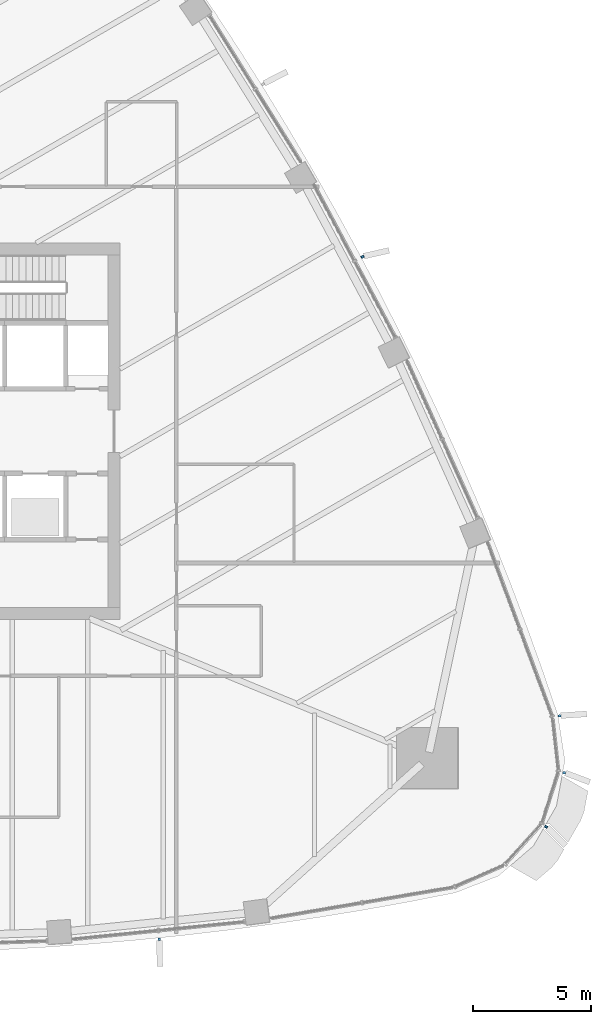
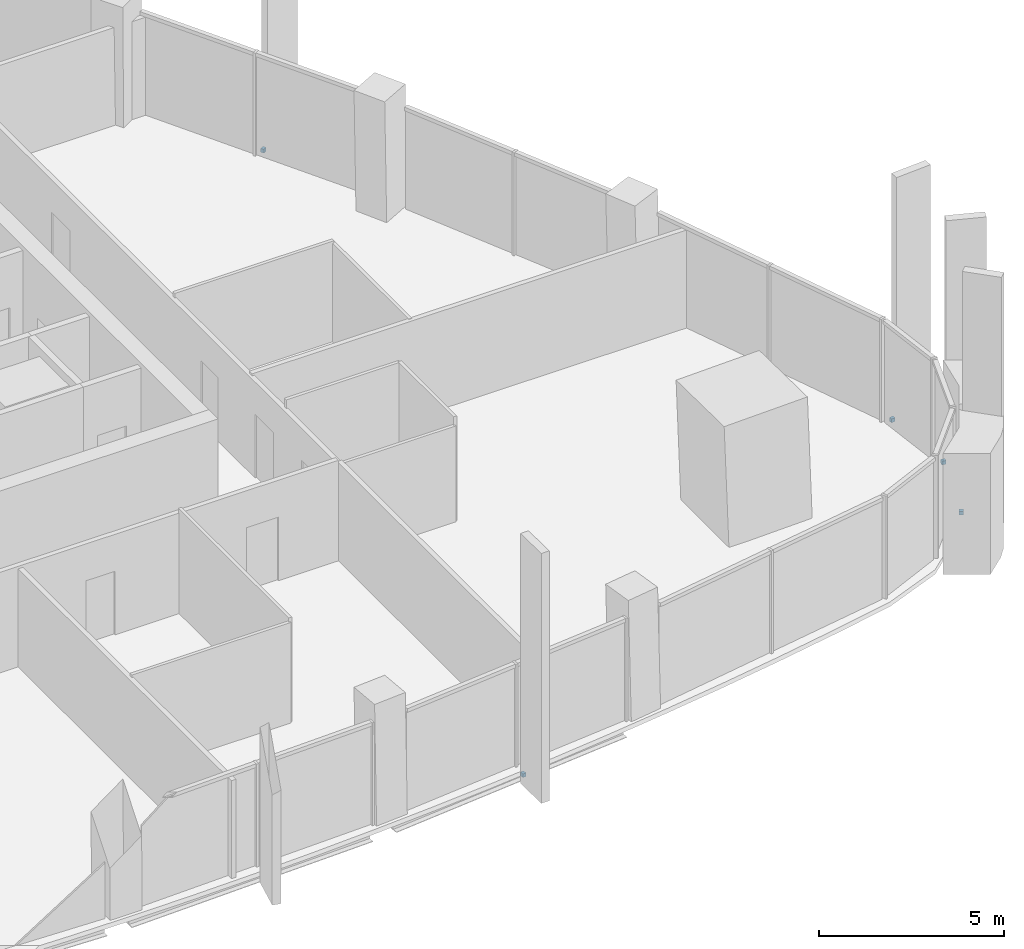
# One storey, part 14 of 20: 5 discrete accessories.
"""IFC4 building model written with IfcOpenShell, lengths in metres."""

from ifc_helpers import new_model, si_unit, direction, frame, origin, origin_2d, place, context, subcontext, project, spatial, rectangle, extrude, material, type_object, element, save


model = new_model("IFC4")

# Units and contexts
model_context = context("Model", 3, precision=1e-05, world=origin(), true_north=direction((0.0, 1.0)))
body_context = subcontext(model_context, "Body", "Model", "MODEL_VIEW")
ifc_project = project(units=[si_unit("LENGTHUNIT", "METRE"), si_unit("AREAUNIT", "SQUARE_METRE"), si_unit("VOLUMEUNIT", "CUBIC_METRE"), si_unit("PLANEANGLEUNIT", "RADIAN"), si_unit("MASSUNIT", "GRAM", prefix="KILO")], contexts=[model_context])

# Site, building, storey
site_placement = place(None, origin())
site = spatial("IfcSite", under=ifc_project, at=site_placement, CompositionType="ELEMENT")
building_placement = place(site_placement, origin())
building = spatial("IfcBuilding", under=site, at=building_placement, Name="Sierra Prisma Convention Tower", CompositionType="ELEMENT")
storey_placement = place(building_placement, frame((0.0, 0.0, 161.800048828125)))
storey = spatial("IfcBuildingStorey", under=building, at=storey_placement, Name="L35", CompositionType="ELEMENT", Elevation=161.800048828125)

# Discrete accessories
ifc_material = material(Name="Stainless steel 316", Category="steel")
discrete_accessory_type = type_object("IfcDiscreteAccessoryType", Name="Fin bracket", PredefinedType="BRACKET", material=ifc_material)
for number, where, z_axis, x_axis, name in (
    (1, (12.6748046875, -21.591064453125, -0.135009765625), (0.0, 0.0, 1.0), (0.100833457322, -0.994903318863, 0.0), "Fin bracket L35.14 base"),
    (2, (29.111572265625, -16.8076171875, -0.135009765625), (0.0, 0.0, 1.0), (0.866025403784, -0.5, 0.0), "Fin bracket L35.20 base"),
    (3, (29.876708984375, -14.512939453125, -0.135009765625), (0.0, 0.0, 1.0), (0.982839756251, -0.184461414754, 0.0), "Fin bracket L35.21 base"),
    (4, (29.67919921875, -12.094970703125, -0.135009765625), (0.0, 0.0, 1.0), (0.988386631478, 0.151960082639, 0.0), "Fin bracket L35.22 base"),
    (5, (21.309326171875, 7.413330078125, -0.135009765625), (0.0, 0.0, 1.0), (0.884791168164, 0.465987755996, 0.0), "Fin bracket L35.29 base"),
):
    element("IfcDiscreteAccessory", number, at=place(storey_placement, frame(where, z_axis=z_axis, x_axis=x_axis)), inside=storey, type_object=discrete_accessory_type, Name=name, PredefinedType="BRACKET", context=body_context, shape_type="SweptSolid", body=[
        extrude(rectangle(XDim=0.1201171875, YDim=0.10009765625, at=origin_2d()), origin(), (0.0, 0.0, 1.0), 0.1201171875),
    ])

save(model, "model.ifc")
